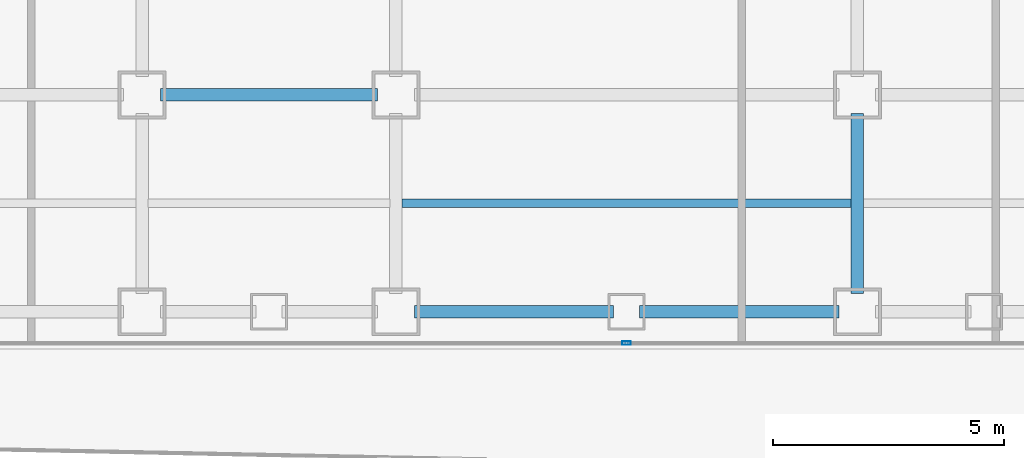
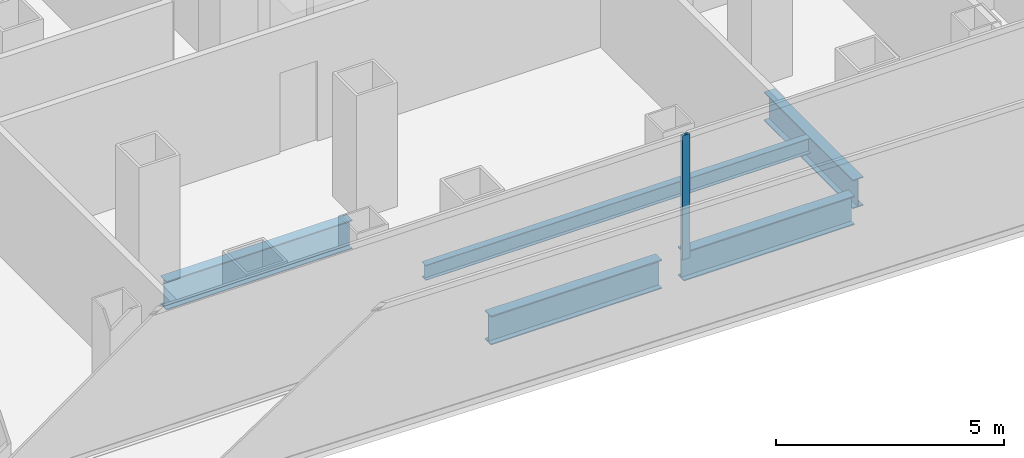
# One storey, part 4 of 21: 5 beams, 1 member, 1 element without a shape of its own.
"""IFC4 building model written with IfcOpenShell, lengths in metres."""

from ifc_helpers import new_model, si_unit, direction, frame, origin, origin_2d, place, context, subcontext, project, spatial, hollow_rectangle, i_section, extrude, source, transform, mapped, material, layer, layer_set, material_profile, profile_set, type_object, element, aggregate, save


model = new_model("IFC4")

# Units and contexts
model_context = context("Model", 3, precision=1e-05, world=origin(), true_north=direction((0.0, 1.0)))
body_context = subcontext(model_context, "Body", "Model", "MODEL_VIEW")
ifc_project = project(units=[si_unit("LENGTHUNIT", "METRE"), si_unit("AREAUNIT", "SQUARE_METRE"), si_unit("VOLUMEUNIT", "CUBIC_METRE"), si_unit("PLANEANGLEUNIT", "RADIAN"), si_unit("MASSUNIT", "GRAM", prefix="KILO")], contexts=[model_context])

# Site, building, storey
site_placement = place(None, origin())
site = spatial("IfcSite", under=ifc_project, at=site_placement, CompositionType="ELEMENT")
building_placement = place(site_placement, origin())
building = spatial("IfcBuilding", under=site, at=building_placement, Name="Kolveth Station Tower", CompositionType="ELEMENT")
storey_placement = place(building_placement, frame((0.0, 0.0, 47.699951171875)))
storey = spatial("IfcBuildingStorey", under=building, at=storey_placement, Name="L12", CompositionType="ELEMENT", Elevation=47.699951171875)

# Beams
ifc_material_1 = material(Name="Steel S355", Category="steel")
ifc_material_profile_1 = material_profile(ifc_material_1, i_section(OverallWidth=0.26904296875, OverallDepth=0.77490234375, WebThickness=0.01708984375, FlangeThickness=0.0283203125, at=origin_2d()), Name="W760x220")
ifc_profile_set_1 = profile_set([ifc_material_profile_1], Name="Steel S355")
beam_type_1 = type_object("IfcBeamType", Name="Beam_SP1", PredefinedType="SPANDREL", material=ifc_profile_set_1)
shared_shape_1 = source(origin(), body_context, "Body", "SweptSolid", [
    extrude(i_section(OverallWidth=0.26904296875, OverallDepth=0.77490234375, WebThickness=0.01708984375, FlangeThickness=0.0283203125, at=origin_2d()), origin(), (0.0, 0.0, 1.0), 4.320068359375),
])
for number, where, z_axis, x_axis, name in (
    (1, (18.89990234375, 0.800048828125, -0.66748046875), (1.0, 0.0, 0.0), (0.0, 1.0, 0.0), "L12 Perimeter Spandrel BM-L12-PS-5"),
    (2, (23.780029296875, 0.800048828125, -0.66748046875), (1.0, 0.0, 0.0), (0.0, 1.0, 0.0), "L12 Perimeter Spandrel BM-L12-PS-6"),
):
    element("IfcBeam", number, at=place(storey_placement, frame(where, z_axis=z_axis, x_axis=x_axis)), inside=storey, type_object=beam_type_1, Name=name, PredefinedType="SPANDREL", context=body_context, shape_type="MappedRepresentation", body=[
        mapped(shared_shape_1, transform((0.0, 0.0, 0.0), x_axis=(1.0, 0.0, 0.0), y_axis=(0.0, 1.0, 0.0), z_axis=(0.0, 0.0, 1.0), scale=1.0)),
    ])
ifc_material_profile_2 = material_profile(ifc_material_1, i_section(OverallWidth=0.26708984375, OverallDepth=0.76611328125, WebThickness=0.014892578125, FlangeThickness=0.023681640625, at=origin_2d()), Name="W760x185")
ifc_profile_set_2 = profile_set([ifc_material_profile_2], Name="Steel S355")
beam_type_2 = type_object("IfcBeamType", Name="Beam_B3", PredefinedType="BEAM", material=ifc_profile_set_2)
shared_shape_2 = source(origin(), body_context, "Body", "SweptSolid", [
    extrude(i_section(OverallWidth=0.26708984375, OverallDepth=0.76611328125, WebThickness=0.014892578125, FlangeThickness=0.023681640625, at=origin_2d()), origin(), (0.0, 0.0, 1.0), 4.7001953125),
])
beam_1_placement = place(storey_placement, frame((13.39990234375, 5.5, -0.662841796875), z_axis=(1.0, 0.0, 0.0), x_axis=(0.0, 1.0, 0.0)))
element("IfcBeam", 3, at=beam_1_placement, inside=storey, type_object=beam_type_2, Name="L12 Primary Girder BM-L12-GY55-3", PredefinedType="BEAM", context=body_context, shape_type="MappedRepresentation", body=[
    mapped(shared_shape_2, transform((0.0, 0.0, 0.0), x_axis=(1.0, 0.0, 0.0), y_axis=(0.0, 1.0, 0.0), z_axis=(0.0, 0.0, 1.0), scale=1.0)),
])
shared_shape_3 = source(origin(), body_context, "Body", "SweptSolid", [
    extrude(i_section(OverallWidth=0.26708984375, OverallDepth=0.76611328125, WebThickness=0.014892578125, FlangeThickness=0.023681640625, at=origin_2d()), origin(), (0.0, 0.0, 1.0), 3.900146484375),
])
beam_2_placement = place(storey_placement, frame((28.5, 1.199951171875, -0.662841796875), z_axis=(0.0, 1.0, 0.0), x_axis=(-1.0, 0.0, 0.0)))
element("IfcBeam", 4, at=beam_2_placement, inside=storey, type_object=beam_type_2, Name="L12 Primary Girder BM-L12-GX285-1", PredefinedType="BEAM", context=body_context, shape_type="MappedRepresentation", body=[
    mapped(shared_shape_3, transform((0.0, 0.0, 0.0), x_axis=(1.0, 0.0, 0.0), y_axis=(0.0, 1.0, 0.0), z_axis=(0.0, 0.0, 1.0), scale=1.0)),
])
ifc_material_profile_3 = material_profile(ifc_material_1, i_section(OverallWidth=0.177978515625, OverallDepth=0.406982421875, WebThickness=0.0078125, FlangeThickness=0.0126953125, at=origin_2d()), Name="W410x60")
ifc_profile_set_3 = profile_set([ifc_material_profile_3], Name="Steel S355")
beam_type_3 = type_object("IfcBeamType", Name="Beam_J1", PredefinedType="JOIST", material=ifc_profile_set_3)
shared_shape_4 = source(origin(), body_context, "Body", "SweptSolid", [
    extrude(i_section(OverallWidth=0.177978515625, OverallDepth=0.406982421875, WebThickness=0.0078125, FlangeThickness=0.0126953125, at=origin_2d()), origin(), (0.0, 0.0, 1.0), 9.73681640625),
])
beam_3_placement = place(storey_placement, frame((18.631591796875, 3.14990234375, -0.4833984375), z_axis=(1.0, 0.0, 0.0), x_axis=(0.0, 1.0, 0.0)))
element("IfcBeam", 5, at=beam_3_placement, inside=storey, type_object=beam_type_3, Name="L12 Secondary Joist JST-L12-4-1", PredefinedType="JOIST", context=body_context, shape_type="MappedRepresentation", body=[
    mapped(shared_shape_4, transform((0.0, 0.0, 0.0), x_axis=(1.0, 0.0, 0.0), y_axis=(0.0, 1.0, 0.0), z_axis=(0.0, 0.0, 1.0), scale=1.0)),
])

# Curtain wall, member
ifc_material_2 = material(Name="Aluminium 6063-T6 and low-E dark glass", Category="aluminium")
ifc_layer = layer(ifc_material_2, 0.179931640625)
ifc_layer_set = layer_set([ifc_layer], Name="Aluminium 6063-T6 and low-E dark glass")
curtain_wall_type = type_object("IfcCurtainWallType", Name="CurtainWall_CW-Z1", PredefinedType="NOTDEFINED", material=ifc_layer_set)
curtain_wall_placement = place(storey_placement, origin())
curtain_wall = element("IfcCurtainWall", 6, at=curtain_wall_placement, inside=storey, type_object=curtain_wall_type, Name="L12 Inner Thermal Curtain Wall 12", PredefinedType="NOTDEFINED")
ifc_material_3 = material(Name="Black anodized aluminium 6063-T6", Category="aluminium")
ifc_material_profile_4 = material_profile(ifc_material_3, hollow_rectangle(XDim=0.074951171875, YDim=0.18994140625, WallThickness=0.0048828125, at=origin_2d()), Name="ALU-75x190x5")
ifc_profile_set_4 = profile_set([ifc_material_profile_4], Name="Black anodized aluminium 6063-T6")
member_type = type_object("IfcMemberType", Name="Mullion_ML1", PredefinedType="MULLION", material=ifc_profile_set_4)
shared_shape_5 = source(origin(), body_context, "Body", "SweptSolid", [
    extrude(hollow_rectangle(XDim=0.074951171875, YDim=0.18994140625, WallThickness=0.0048828125, at=origin_2d()), origin(), (0.0, 0.0, 1.0), 3.320068359375),
])
member_placement = place(storey_placement, frame((23.5, 0.1201171875, 0.0), z_axis=(0.0, 0.0, 1.0), x_axis=(0.0, 1.0, 0.0)))
member = element("IfcMember", 7, at=member_placement, type_object=member_type, Name="CW-Z1 mullion 2", PredefinedType="MULLION", context=body_context, shape_type="MappedRepresentation", body=[
    mapped(shared_shape_5, transform((0.0, 0.0, 0.0), x_axis=(1.0, 0.0, 0.0), y_axis=(0.0, 1.0, 0.0), z_axis=(0.0, 0.0, 1.0), scale=1.0)),
])
aggregate(curtain_wall, [member])

save(model, "model.ifc")
